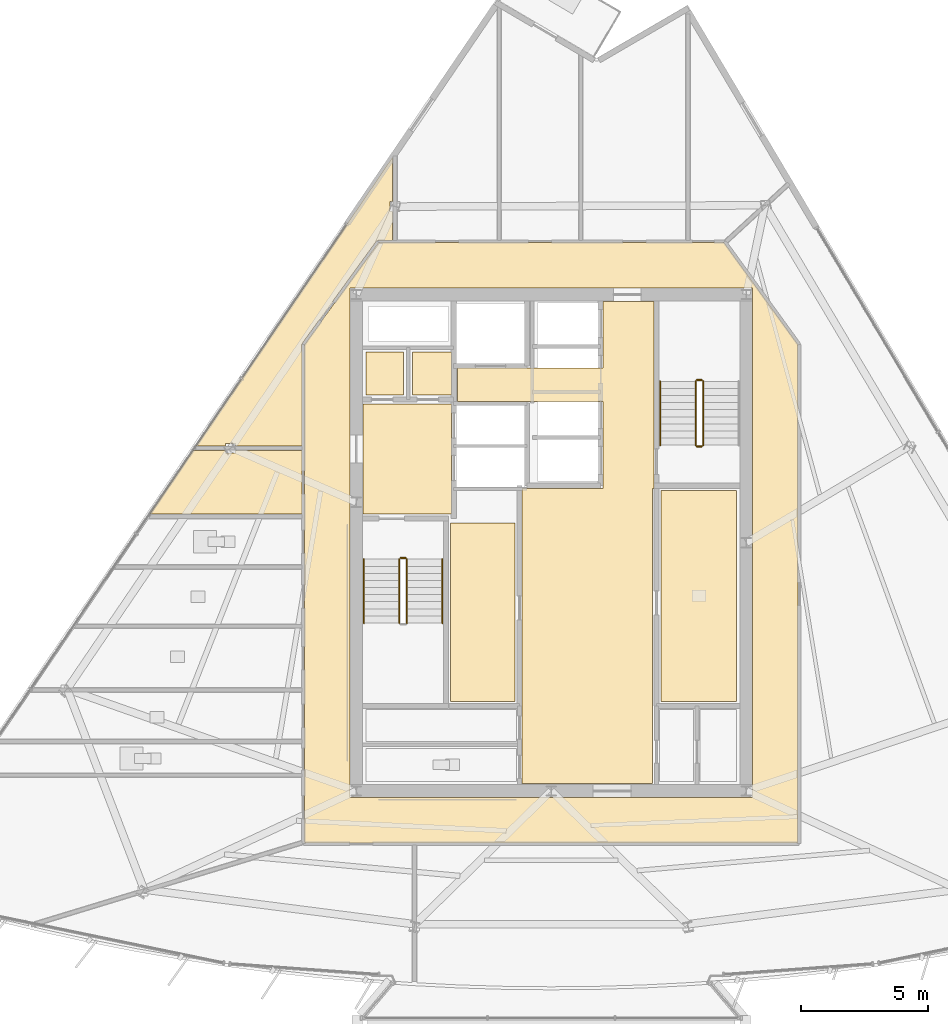
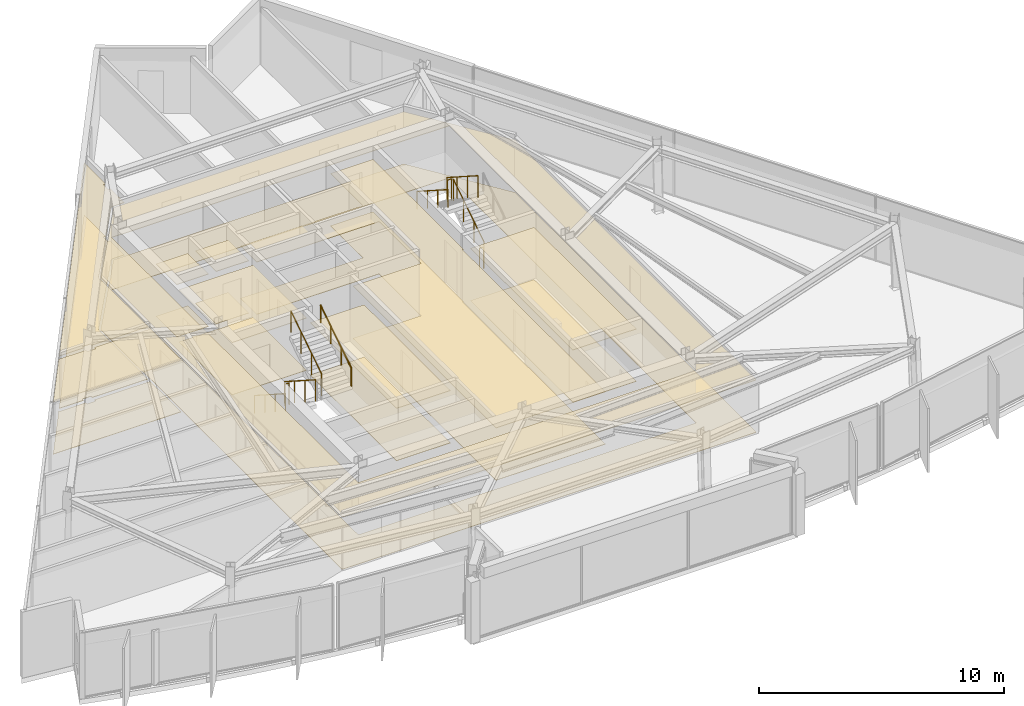
# One storey, part 12 of 14: 18 coverings, 10 railings.
"""IFC4 building model written with IfcOpenShell, lengths in metres."""

from ifc_helpers import new_model, si_unit, direction, frame, origin, origin_2d, place, context, subcontext, project, spatial, polyline, circle, outline, extrude, material, layer, layer_set, type_object, element, save


model = new_model("IFC4")

# Units and contexts
model_context = context("Model", 3, precision=1e-05, world=origin(), true_north=direction((0.0, 1.0)))
body_context = subcontext(model_context, "Body", "Model", "MODEL_VIEW")
ifc_project = project(units=[si_unit("LENGTHUNIT", "METRE"), si_unit("AREAUNIT", "SQUARE_METRE"), si_unit("VOLUMEUNIT", "CUBIC_METRE"), si_unit("PLANEANGLEUNIT", "RADIAN"), si_unit("MASSUNIT", "GRAM", prefix="KILO")], contexts=[model_context])

# Site, building, storey
site_placement = place(None, origin())
site = spatial("IfcSite", under=ifc_project, at=site_placement, CompositionType="ELEMENT")
building_placement = place(site_placement, origin())
building = spatial("IfcBuilding", under=site, at=building_placement, Name="Savorim Split Tower", CompositionType="ELEMENT")
storey_placement = place(building_placement, frame((0.0, 0.0, 237.89990234375)))
storey = spatial("IfcBuildingStorey", under=building, at=storey_placement, Name="L63", CompositionType="ELEMENT", Elevation=237.89990234375)

# Coverings
ifc_material_1 = material(Name="Mineral Fibre Acoustic Ceiling")
ifc_layer_1 = layer(ifc_material_1, 0.02490234375)
ifc_layer_set_1 = layer_set([ifc_layer_1], Name="COV-CEIL-25")
covering_type_1 = type_object("IfcCoveringType", Name="COV-CEIL-25", PredefinedType="CEILING", material=ifc_layer_set_1)
covering_1_placement = place(storey_placement, frame((0.0, 0.0, 2.60009765625)))
element("IfcCovering", 1, at=covering_1_placement, inside=storey, type_object=covering_type_1, Name="L63 Firefighting Lift Lobby Acoustic Ceiling", PredefinedType="CEILING", context=body_context, shape_type="SweptSolid", body=[
    extrude(outline(polyline([(-7.429931640625, 5.8701171875), (-7.429931640625, 1.530029296875), (-3.929931640625, 1.530029296875), (-3.929931640625, 5.8701171875), (-7.429931640625, 5.8701171875)])), origin(), (0.0, 0.0, 1.0), 0.02490234375),
])
covering_2_placement = place(storey_placement, frame((0.0, 0.0, 2.60009765625)))
element("IfcCovering", 2, at=covering_2_placement, inside=storey, type_object=covering_type_1, Name="L63 Electrical Riser Acoustic Ceiling", PredefinedType="CEILING", context=body_context, shape_type="SweptSolid", body=[
    extrude(outline(polyline([(-7.320068359375, 7.919921875), (-7.320068359375, 6.22998046875), (-5.830078125, 6.22998046875), (-5.830078125, 7.919921875), (-7.320068359375, 7.919921875)])), origin(), (0.0, 0.0, 1.0), 0.02490234375),
])
covering_3_placement = place(storey_placement, frame((0.0, 0.0, 2.60009765625)))
element("IfcCovering", 3, at=covering_3_placement, inside=storey, type_object=covering_type_1, Name="L63 Telecom Riser Acoustic Ceiling", PredefinedType="CEILING", context=body_context, shape_type="SweptSolid", body=[
    extrude(outline(polyline([(-5.469970703125, 7.919921875), (-5.469970703125, 6.22998046875), (-3.929931640625, 6.22998046875), (-3.929931640625, 7.919921875), (-5.469970703125, 7.919921875)])), origin(), (0.0, 0.0, 1.0), 0.02490234375),
])
covering_4_placement = place(storey_placement, frame((0.0, 0.0, 2.60009765625)))
element("IfcCovering", 4, at=covering_4_placement, inside=storey, type_object=covering_type_1, Name="L63 Lift Lobby Acoustic Ceiling", PredefinedType="CEILING", context=body_context, shape_type="SweptSolid", body=[
    extrude(outline(polyline([(2.050048828125, 2.550048828125), (-1.14990234375, 2.550048828125), (-1.14990234375, -9.10009765625), (4.0, -9.10009765625), (4.0, 2.550048828125), (4.050048828125, 2.550048828125), (4.050048828125, 5.97998046875), (4.050048828125, 7.300048828125), (4.050048828125, 9.929931640625), (2.050048828125, 9.929931640625), (2.050048828125, 7.300048828125), (-3.699951171875, 7.300048828125), (-3.699951171875, 5.97998046875), (2.050048828125, 5.97998046875), (2.050048828125, 2.550048828125)])), origin(), (0.0, 0.0, 1.0), 0.02490234375),
])
covering_5_placement = place(storey_placement, frame((0.0, 0.0, 2.60009765625)))
element("IfcCovering", 5, at=covering_5_placement, inside=storey, type_object=covering_type_1, Name="L63 Community Laundry Room Acoustic Ceiling", PredefinedType="CEILING", context=body_context, shape_type="SweptSolid", body=[
    extrude(outline(polyline([(4.330078125, 2.469970703125), (4.330078125, -5.8701171875), (7.320068359375, -5.8701171875), (7.320068359375, 2.469970703125), (4.330078125, 2.469970703125)])), origin(), (0.0, 0.0, 1.0), 0.02490234375),
])
covering_6_placement = place(storey_placement, frame((0.0, 0.0, 2.60009765625)))
element("IfcCovering", 6, at=covering_6_placement, inside=storey, type_object=covering_type_1, Name="L63 Quiet Study Room Acoustic Ceiling", PredefinedType="CEILING", context=body_context, shape_type="SweptSolid", body=[
    extrude(outline(polyline([(-3.969970703125, 1.169921875), (-3.969970703125, -5.8701171875), (-1.429931640625, -5.8701171875), (-1.429931640625, 1.169921875), (-3.969970703125, 1.169921875)])), origin(), (0.0, 0.0, 1.0), 0.02490234375),
])
covering_7_placement = place(storey_placement, frame((0.0, 0.0, 2.60009765625)))
element("IfcCovering", 7, at=covering_7_placement, inside=storey, type_object=covering_type_1, Name="L63 Corridor Acoustic Ceiling", PredefinedType="CEILING", context=body_context, shape_type="SweptSolid", body=[
    extrude(outline(polyline([(6.809326171875, 12.2490234375), (6.8046875, 12.249755859375), (6.800048828125, 12.25), (-6.800048828125, 12.25), (-6.8046875, 12.249755859375), (-6.809326171875, 12.2490234375), (-6.81396484375, 12.248046875), (-6.818359375, 12.24658203125), (-6.82275390625, 12.244384765625), (-6.826904296875, 12.2421875), (-6.830810546875, 12.239501953125), (-6.834228515625, 12.236328125), (-6.83740234375, 12.23291015625), (-6.840576171875, 12.229248046875), (-9.740478515625, 8.229248046875), (-9.743408203125, 8.22509765625), (-9.74560546875, 8.22021484375), (-9.74755859375, 8.21533203125), (-9.748779296875, 8.21044921875), (-9.749755859375, 8.205078125), (-9.75, 8.199951171875), (-9.75, -11.39990234375), (-9.749755859375, -11.40478515625), (-9.7490234375, -11.409912109375), (-9.747802734375, -11.41455078125), (-9.74609375, -11.419189453125), (-9.744140625, -11.423583984375), (-9.74169921875, -11.427734375), (-9.73876953125, -11.431640625), (-9.7353515625, -11.435302734375), (-9.731689453125, -11.438720703125), (-9.727783203125, -11.441650390625), (-9.7236328125, -11.444091796875), (-9.718994140625, -11.4462890625), (-9.714599609375, -11.44775390625), (-9.709716796875, -11.448974609375), (-9.704833984375, -11.44970703125), (-9.699951171875, -11.449951171875), (9.699951171875, -11.449951171875), (9.704833984375, -11.44970703125), (9.709716796875, -11.448974609375), (9.714599609375, -11.44775390625), (9.718994140625, -11.4462890625), (9.7236328125, -11.444091796875), (9.727783203125, -11.441650390625), (9.731689453125, -11.438720703125), (9.7353515625, -11.435302734375), (9.73876953125, -11.431640625), (9.74169921875, -11.427734375), (9.744140625, -11.423583984375), (9.74609375, -11.419189453125), (9.747802734375, -11.41455078125), (9.7490234375, -11.409912109375), (9.749755859375, -11.40478515625), (9.75, -11.39990234375), (9.75, 8.199951171875), (9.749755859375, 8.205078125), (9.748779296875, 8.21044921875), (9.74755859375, 8.21533203125), (9.74560546875, 8.22021484375), (9.743408203125, 8.22509765625), (9.740478515625, 8.229248046875), (6.840576171875, 12.229248046875), (6.83740234375, 12.23291015625), (6.834228515625, 12.236328125), (6.830810546875, 12.239501953125), (6.826904296875, 12.2421875), (6.82275390625, 12.244384765625), (6.818359375, 12.24658203125), (6.81396484375, 12.248046875), (6.809326171875, 12.2490234375)]), holes=[polyline([(-7.949951171875, 10.449951171875), (-7.949951171875, -9.64990234375), (7.949951171875, -9.64990234375), (7.949951171875, 10.449951171875), (-7.949951171875, 10.449951171875)])]), origin(), (0.0, 0.0, 1.0), 0.02490234375),
])
covering_8_placement = place(storey_placement, frame((0.0, 0.0, 2.60009765625)))
element("IfcCovering", 8, at=covering_8_placement, inside=storey, type_object=covering_type_1, Name="L63 Quiet Study Room Acoustic Ceiling", PredefinedType="CEILING", context=body_context, shape_type="SweptSolid", body=[
    extrude(outline(polyline([(-6.813232421875, 12.33935546875), (-6.800048828125, 12.340087890625), (-6.26513671875, 12.340087890625), (-6.26513671875, 13.479248046875), (-6.3671875, 13.479248046875), (-6.3671875, 13.87109375), (-6.26513671875, 13.87109375), (-6.26513671875, 15.622802734375), (-14.02001953125, 4.223388671875), (-12.86181640625, 4.223388671875), (-12.86181640625, 4.324462890625), (-12.4677734375, 4.324462890625), (-12.4677734375, 4.223388671875), (-9.840087890625, 4.223388671875), (-9.840087890625, 8.199951171875), (-9.839111328125, 8.214599609375), (-9.8369140625, 8.22900390625), (-9.833251953125, 8.2431640625), (-9.827880859375, 8.2568359375), (-9.8212890625, 8.27001953125), (-9.813232421875, 8.2822265625), (-6.913330078125, 12.2822265625), (-6.905029296875, 12.29248046875), (-6.89599609375, 12.302001953125), (-6.885986328125, 12.310546875), (-6.875, 12.318115234375), (-6.863525390625, 12.32470703125), (-6.8515625, 12.330078125), (-6.839111328125, 12.33447265625), (-6.826416015625, 12.33740234375), (-6.813232421875, 12.33935546875)])), origin(), (0.0, 0.0, 1.0), 0.02490234375),
])
covering_9_placement = place(storey_placement, frame((0.0, 0.0, 2.60009765625)))
element("IfcCovering", 9, at=covering_9_placement, inside=storey, type_object=covering_type_1, Name="L63 Co-Living Bedroom Acoustic Ceiling", PredefinedType="CEILING", context=body_context, shape_type="SweptSolid", body=[
    extrude(outline(polyline([(-12.86181640625, 4.033447265625), (-14.02392578125, 4.033447265625), (-14.118896484375, 4.033447265625), (-14.118896484375, 4.07763671875), (-15.85400390625, 1.52734375), (-9.840087890625, 1.52734375), (-9.840087890625, 4.033447265625), (-12.4677734375, 4.033447265625), (-12.4677734375, 3.932373046875), (-12.86181640625, 3.932373046875), (-12.86181640625, 4.033447265625)])), origin(), (0.0, 0.0, 1.0), 0.02490234375),
])
ifc_material_2 = material(Name="Porcelain Stoneware Flooring", Category="masonry")
ifc_layer_2 = layer(ifc_material_2, 0.02001953125)
ifc_layer_set_2 = layer_set([ifc_layer_2], Name="COV-FLOR-20")
covering_type_2 = type_object("IfcCoveringType", Name="COV-FLOR-20", PredefinedType="FLOORING", material=ifc_layer_set_2)
covering_10_placement = place(storey_placement, origin())
element("IfcCovering", 10, at=covering_10_placement, inside=storey, type_object=covering_type_2, Name="L63 Firefighting Lift Lobby Porcelain Flooring", PredefinedType="FLOORING", context=body_context, shape_type="SweptSolid", body=[
    extrude(outline(polyline([(-7.429931640625, 5.8701171875), (-7.429931640625, 1.530029296875), (-3.929931640625, 1.530029296875), (-3.929931640625, 5.8701171875), (-7.429931640625, 5.8701171875)])), origin(), (0.0, 0.0, 1.0), 0.02001953125),
])
covering_11_placement = place(storey_placement, origin())
element("IfcCovering", 11, at=covering_11_placement, inside=storey, type_object=covering_type_2, Name="L63 Electrical Riser Porcelain Flooring", PredefinedType="FLOORING", context=body_context, shape_type="SweptSolid", body=[
    extrude(outline(polyline([(-7.320068359375, 7.919921875), (-7.320068359375, 6.22998046875), (-5.830078125, 6.22998046875), (-5.830078125, 7.919921875), (-7.320068359375, 7.919921875)])), origin(), (0.0, 0.0, 1.0), 0.02001953125),
])
covering_12_placement = place(storey_placement, origin())
element("IfcCovering", 12, at=covering_12_placement, inside=storey, type_object=covering_type_2, Name="L63 Telecom Riser Porcelain Flooring", PredefinedType="FLOORING", context=body_context, shape_type="SweptSolid", body=[
    extrude(outline(polyline([(-5.469970703125, 7.919921875), (-5.469970703125, 6.22998046875), (-3.929931640625, 6.22998046875), (-3.929931640625, 7.919921875), (-5.469970703125, 7.919921875)])), origin(), (0.0, 0.0, 1.0), 0.02001953125),
])
covering_13_placement = place(storey_placement, origin())
element("IfcCovering", 13, at=covering_13_placement, inside=storey, type_object=covering_type_2, Name="L63 Lift Lobby Porcelain Flooring", PredefinedType="FLOORING", context=body_context, shape_type="SweptSolid", body=[
    extrude(outline(polyline([(2.050048828125, 2.550048828125), (-1.14990234375, 2.550048828125), (-1.14990234375, -9.10009765625), (4.0, -9.10009765625), (4.0, 2.550048828125), (4.050048828125, 2.550048828125), (4.050048828125, 5.97998046875), (4.050048828125, 7.300048828125), (4.050048828125, 9.929931640625), (2.050048828125, 9.929931640625), (2.050048828125, 7.300048828125), (-3.699951171875, 7.300048828125), (-3.699951171875, 5.97998046875), (2.050048828125, 5.97998046875), (2.050048828125, 2.550048828125)])), origin(), (0.0, 0.0, 1.0), 0.02001953125),
])
covering_14_placement = place(storey_placement, origin())
element("IfcCovering", 14, at=covering_14_placement, inside=storey, type_object=covering_type_2, Name="L63 Community Laundry Room Porcelain Flooring", PredefinedType="FLOORING", context=body_context, shape_type="SweptSolid", body=[
    extrude(outline(polyline([(4.330078125, 2.469970703125), (4.330078125, -5.8701171875), (7.320068359375, -5.8701171875), (7.320068359375, 2.469970703125), (4.330078125, 2.469970703125)])), origin(), (0.0, 0.0, 1.0), 0.02001953125),
])
covering_15_placement = place(storey_placement, origin())
element("IfcCovering", 15, at=covering_15_placement, inside=storey, type_object=covering_type_2, Name="L63 Quiet Study Room Porcelain Flooring", PredefinedType="FLOORING", context=body_context, shape_type="SweptSolid", body=[
    extrude(outline(polyline([(-3.969970703125, 1.169921875), (-3.969970703125, -5.8701171875), (-1.429931640625, -5.8701171875), (-1.429931640625, 1.169921875), (-3.969970703125, 1.169921875)])), origin(), (0.0, 0.0, 1.0), 0.02001953125),
])
covering_16_placement = place(storey_placement, origin())
element("IfcCovering", 16, at=covering_16_placement, inside=storey, type_object=covering_type_2, Name="L63 Corridor Porcelain Flooring", PredefinedType="FLOORING", context=body_context, shape_type="SweptSolid", body=[
    extrude(outline(polyline([(6.809326171875, 12.2490234375), (6.8046875, 12.249755859375), (6.800048828125, 12.25), (-6.800048828125, 12.25), (-6.8046875, 12.249755859375), (-6.809326171875, 12.2490234375), (-6.81396484375, 12.248046875), (-6.818359375, 12.24658203125), (-6.82275390625, 12.244384765625), (-6.826904296875, 12.2421875), (-6.830810546875, 12.239501953125), (-6.834228515625, 12.236328125), (-6.83740234375, 12.23291015625), (-6.840576171875, 12.229248046875), (-9.740478515625, 8.229248046875), (-9.743408203125, 8.22509765625), (-9.74560546875, 8.22021484375), (-9.74755859375, 8.21533203125), (-9.748779296875, 8.21044921875), (-9.749755859375, 8.205078125), (-9.75, 8.199951171875), (-9.75, -11.39990234375), (-9.749755859375, -11.40478515625), (-9.7490234375, -11.409912109375), (-9.747802734375, -11.41455078125), (-9.74609375, -11.419189453125), (-9.744140625, -11.423583984375), (-9.74169921875, -11.427734375), (-9.73876953125, -11.431640625), (-9.7353515625, -11.435302734375), (-9.731689453125, -11.438720703125), (-9.727783203125, -11.441650390625), (-9.7236328125, -11.444091796875), (-9.718994140625, -11.4462890625), (-9.714599609375, -11.44775390625), (-9.709716796875, -11.448974609375), (-9.704833984375, -11.44970703125), (-9.699951171875, -11.449951171875), (9.699951171875, -11.449951171875), (9.704833984375, -11.44970703125), (9.709716796875, -11.448974609375), (9.714599609375, -11.44775390625), (9.718994140625, -11.4462890625), (9.7236328125, -11.444091796875), (9.727783203125, -11.441650390625), (9.731689453125, -11.438720703125), (9.7353515625, -11.435302734375), (9.73876953125, -11.431640625), (9.74169921875, -11.427734375), (9.744140625, -11.423583984375), (9.74609375, -11.419189453125), (9.747802734375, -11.41455078125), (9.7490234375, -11.409912109375), (9.749755859375, -11.40478515625), (9.75, -11.39990234375), (9.75, 8.199951171875), (9.749755859375, 8.205078125), (9.748779296875, 8.21044921875), (9.74755859375, 8.21533203125), (9.74560546875, 8.22021484375), (9.743408203125, 8.22509765625), (9.740478515625, 8.229248046875), (6.840576171875, 12.229248046875), (6.83740234375, 12.23291015625), (6.834228515625, 12.236328125), (6.830810546875, 12.239501953125), (6.826904296875, 12.2421875), (6.82275390625, 12.244384765625), (6.818359375, 12.24658203125), (6.81396484375, 12.248046875), (6.809326171875, 12.2490234375)]), holes=[polyline([(-7.949951171875, 10.449951171875), (-7.949951171875, -9.64990234375), (7.949951171875, -9.64990234375), (7.949951171875, 10.449951171875), (-7.949951171875, 10.449951171875)])]), origin(), (0.0, 0.0, 1.0), 0.02001953125),
])
covering_17_placement = place(storey_placement, origin())
element("IfcCovering", 17, at=covering_17_placement, inside=storey, type_object=covering_type_2, Name="L63 Quiet Study Room Porcelain Flooring", PredefinedType="FLOORING", context=body_context, shape_type="SweptSolid", body=[
    extrude(outline(polyline([(-6.813232421875, 12.33935546875), (-6.800048828125, 12.340087890625), (-6.26513671875, 12.340087890625), (-6.26513671875, 13.479248046875), (-6.3671875, 13.479248046875), (-6.3671875, 13.87109375), (-6.26513671875, 13.87109375), (-6.26513671875, 15.622802734375), (-14.02001953125, 4.223388671875), (-12.86181640625, 4.223388671875), (-12.86181640625, 4.324462890625), (-12.4677734375, 4.324462890625), (-12.4677734375, 4.223388671875), (-9.840087890625, 4.223388671875), (-9.840087890625, 8.199951171875), (-9.839111328125, 8.214599609375), (-9.8369140625, 8.22900390625), (-9.833251953125, 8.2431640625), (-9.827880859375, 8.2568359375), (-9.8212890625, 8.27001953125), (-9.813232421875, 8.2822265625), (-6.913330078125, 12.2822265625), (-6.905029296875, 12.29248046875), (-6.89599609375, 12.302001953125), (-6.885986328125, 12.310546875), (-6.875, 12.318115234375), (-6.863525390625, 12.32470703125), (-6.8515625, 12.330078125), (-6.839111328125, 12.33447265625), (-6.826416015625, 12.33740234375), (-6.813232421875, 12.33935546875)])), origin(), (0.0, 0.0, 1.0), 0.02001953125),
])
covering_18_placement = place(storey_placement, origin())
element("IfcCovering", 18, at=covering_18_placement, inside=storey, type_object=covering_type_2, Name="L63 Co-Living Bedroom Porcelain Flooring", PredefinedType="FLOORING", context=body_context, shape_type="SweptSolid", body=[
    extrude(outline(polyline([(-12.86181640625, 4.033447265625), (-14.02392578125, 4.033447265625), (-14.118896484375, 4.033447265625), (-14.118896484375, 4.07763671875), (-15.85400390625, 1.52734375), (-9.840087890625, 1.52734375), (-9.840087890625, 4.033447265625), (-12.4677734375, 4.033447265625), (-12.4677734375, 3.932373046875), (-12.86181640625, 3.932373046875), (-12.86181640625, 4.033447265625)])), origin(), (0.0, 0.0, 1.0), 0.02001953125),
])

# Railings
ifc_material_3 = material(Name="Galvanised Painted Steel Balustrade", Category="steel")
railing_type_1 = type_object("IfcRailingType", Name="RLG-HR-900", PredefinedType="HANDRAIL", material=ifc_material_3)
railing_1_placement = place(storey_placement, frame((-7.39990234375, -0.25, 0.18017578125)))
element("IfcRailing", 19, at=railing_1_placement, inside=storey, type_object=railing_type_1, Name="L63 ST-1 stair handrail 1", PredefinedType="HANDRAIL", context=body_context, shape_type="SweptSolid", body=[
    extrude(circle(Radius=0.02392578125, at=origin_2d()), frame((0.0, 0.0, 0.8759765625), z_axis=(0.0, -0.841199657755, 0.540724639528), x_axis=(1.0, 0.0, 0.0)), (0.0, 0.0, 1.0), 2.995849609375),
    extrude(circle(Radius=0.02099609375, at=origin_2d()), origin(), (0.0, 0.0, 1.0), 0.851806640625),
    extrude(circle(Radius=0.02099609375, at=origin_2d()), frame((0.0, -0.840087890625, 0.5400390625)), (0.0, 0.0, 1.0), 0.851806640625),
    extrude(circle(Radius=0.02099609375, at=origin_2d()), frame((0.0, -1.679931640625, 1.079833984375)), (0.0, 0.0, 1.0), 0.851806640625),
    extrude(circle(Radius=0.02099609375, at=origin_2d()), frame((0.0, -2.52001953125, 1.619873046875)), (0.0, 0.0, 1.0), 0.851806640625),
])
railing_2_placement = place(storey_placement, frame((-4.300048828125, -2.77001953125, 1.97998046875)))
element("IfcRailing", 20, at=railing_2_placement, inside=storey, type_object=railing_type_1, Name="L63 ST-1 stair handrail 2", PredefinedType="HANDRAIL", context=body_context, shape_type="SweptSolid", body=[
    extrude(circle(Radius=0.02392578125, at=origin_2d()), frame((0.0, 0.0, 0.8759765625), z_axis=(0.0, 0.841162588446, 0.540782303519), x_axis=(-1.0, 0.0, 0.0)), (0.0, 0.0, 1.0), 2.995849609375),
    extrude(circle(Radius=0.02099609375, at=origin_2d()), origin(), (0.0, 0.0, 1.0), 0.851806640625),
    extrude(circle(Radius=0.02099609375, at=origin_2d()), frame((0.0, 0.840087890625, 0.5400390625)), (0.0, 0.0, 1.0), 0.851806640625),
    extrude(circle(Radius=0.02099609375, at=origin_2d()), frame((0.0, 1.679931640625, 1.080078125)), (0.0, 0.0, 1.0), 0.851806640625),
    extrude(circle(Radius=0.02099609375, at=origin_2d()), frame((0.0, 2.52001953125, 1.6201171875)), (0.0, 0.0, 1.0), 0.851806640625),
])
railing_3_placement = place(storey_placement, frame((4.300048828125, 6.77001953125, 1.97998046875)))
element("IfcRailing", 21, at=railing_3_placement, inside=storey, type_object=railing_type_1, Name="L63 ST-2 stair handrail 2", PredefinedType="HANDRAIL", context=body_context, shape_type="SweptSolid", body=[
    extrude(circle(Radius=0.02392578125, at=origin_2d()), frame((0.0, 0.0, 0.8759765625), z_axis=(0.0, -0.841162588446, 0.540782303519), x_axis=(1.0, 0.0, 0.0)), (0.0, 0.0, 1.0), 2.995849609375),
    extrude(circle(Radius=0.02099609375, at=origin_2d()), origin(), (0.0, 0.0, 1.0), 0.851806640625),
    extrude(circle(Radius=0.02099609375, at=origin_2d()), frame((0.0, -0.840087890625, 0.5400390625)), (0.0, 0.0, 1.0), 0.851806640625),
    extrude(circle(Radius=0.02099609375, at=origin_2d()), frame((0.0, -1.679931640625, 1.080078125)), (0.0, 0.0, 1.0), 0.851806640625),
    extrude(circle(Radius=0.02099609375, at=origin_2d()), frame((0.0, -2.52001953125, 1.6201171875)), (0.0, 0.0, 1.0), 0.851806640625),
])
railing_type_2 = type_object("IfcRailingType", Name="RLG-STG-1100", PredefinedType="BALUSTRADE", material=ifc_material_3)
railing_4_placement = place(storey_placement, frame((-6.0, -0.25, 0.18017578125)))
element("IfcRailing", 22, at=railing_4_placement, inside=storey, type_object=railing_type_2, Name="L63 ST-1 stair guard 1", PredefinedType="BALUSTRADE", context=body_context, shape_type="SweptSolid", body=[
    extrude(circle(Radius=0.02392578125, at=origin_2d()), frame((0.0, 0.0, 1.076171875), z_axis=(0.0, -0.841199657755, 0.540724639528), x_axis=(1.0, 0.0, 0.0)), (0.0, 0.0, 1.0), 2.995849609375),
    extrude(circle(Radius=0.02099609375, at=origin_2d()), origin(), (0.0, 0.0, 1.0), 1.052001953125),
    extrude(circle(Radius=0.02099609375, at=origin_2d()), frame((0.0, -0.840087890625, 0.5400390625)), (0.0, 0.0, 1.0), 1.052001953125),
    extrude(circle(Radius=0.02099609375, at=origin_2d()), frame((0.0, -1.679931640625, 1.079833984375)), (0.0, 0.0, 1.0), 1.052001953125),
    extrude(circle(Radius=0.02099609375, at=origin_2d()), frame((0.0, -2.52001953125, 1.619873046875)), (0.0, 0.0, 1.0), 1.052001953125),
])
railing_5_placement = place(storey_placement, frame((-5.699951171875, -2.77001953125, 1.97998046875)))
element("IfcRailing", 23, at=railing_5_placement, inside=storey, type_object=railing_type_2, Name="L63 ST-1 stair guard 3", PredefinedType="BALUSTRADE", context=body_context, shape_type="SweptSolid", body=[
    extrude(circle(Radius=0.02392578125, at=origin_2d()), frame((0.0, 0.0, 1.076171875), z_axis=(0.0, 0.841162588446, 0.540782303519), x_axis=(-1.0, 0.0, 0.0)), (0.0, 0.0, 1.0), 2.995849609375),
    extrude(circle(Radius=0.02099609375, at=origin_2d()), origin(), (0.0, 0.0, 1.0), 1.052001953125),
    extrude(circle(Radius=0.02099609375, at=origin_2d()), frame((0.0, 0.840087890625, 0.5400390625)), (0.0, 0.0, 1.0), 1.052001953125),
    extrude(circle(Radius=0.02099609375, at=origin_2d()), frame((0.0, 1.679931640625, 1.080078125)), (0.0, 0.0, 1.0), 1.052001953125),
    extrude(circle(Radius=0.02099609375, at=origin_2d()), frame((0.0, 2.52001953125, 1.6201171875)), (0.0, 0.0, 1.0), 1.052001953125),
])
railing_6_placement = place(storey_placement, frame((-5.949951171875, -0.199951171875, 0.0)))
element("IfcRailing", 24, at=railing_6_placement, inside=storey, type_object=railing_type_2, Name="L63 ST-1 stair guard 4", PredefinedType="BALUSTRADE", context=body_context, shape_type="SweptSolid", body=[
    extrude(circle(Radius=0.02392578125, at=origin_2d()), frame((0.0, 0.0, 1.076171875), z_axis=(1.0, 0.0, 0.0), x_axis=(0.0, 1.0, 0.0)), (0.0, 0.0, 1.0), 0.199951171875),
    extrude(circle(Radius=0.02099609375, at=origin_2d()), origin(), (0.0, 0.0, 1.0), 1.052001953125),
    extrude(circle(Radius=0.02099609375, at=origin_2d()), frame((0.199951171875, 0.0, 0.0)), (0.0, 0.0, 1.0), 1.052001953125),
])
railing_7_placement = place(storey_placement, frame((6.0, 4.25, 0.18017578125)))
element("IfcRailing", 25, at=railing_7_placement, inside=storey, type_object=railing_type_2, Name="L63 ST-2 stair guard 1", PredefinedType="BALUSTRADE", context=body_context, shape_type="SweptSolid", body=[
    extrude(circle(Radius=0.02392578125, at=origin_2d()), frame((0.0, 0.0, 1.076171875), z_axis=(0.0, 0.841199657755, 0.540724639528), x_axis=(-1.0, 0.0, 0.0)), (0.0, 0.0, 1.0), 2.995849609375),
    extrude(circle(Radius=0.02099609375, at=origin_2d()), origin(), (0.0, 0.0, 1.0), 1.052001953125),
    extrude(circle(Radius=0.02099609375, at=origin_2d()), frame((0.0, 0.840087890625, 0.5400390625)), (0.0, 0.0, 1.0), 1.052001953125),
    extrude(circle(Radius=0.02099609375, at=origin_2d()), frame((0.0, 1.679931640625, 1.079833984375)), (0.0, 0.0, 1.0), 1.052001953125),
    extrude(circle(Radius=0.02099609375, at=origin_2d()), frame((0.0, 2.52001953125, 1.619873046875)), (0.0, 0.0, 1.0), 1.052001953125),
])
railing_8_placement = place(storey_placement, frame((5.949951171875, 6.820068359375, 1.800048828125)))
element("IfcRailing", 26, at=railing_8_placement, inside=storey, type_object=railing_type_2, Name="L63 ST-2 stair guard 2", PredefinedType="BALUSTRADE", context=body_context, shape_type="SweptSolid", body=[
    extrude(circle(Radius=0.02392578125, at=origin_2d()), frame((0.0, 0.0, 1.076171875), z_axis=(-1.0, 0.0, 0.0), x_axis=(0.0, -1.0, 0.0)), (0.0, 0.0, 1.0), 0.199951171875),
    extrude(circle(Radius=0.02099609375, at=origin_2d()), origin(), (0.0, 0.0, 1.0), 1.052001953125),
    extrude(circle(Radius=0.02099609375, at=origin_2d()), frame((-0.199951171875, 0.0, 0.0)), (0.0, 0.0, 1.0), 1.052001953125),
])
railing_9_placement = place(storey_placement, frame((5.699951171875, 6.77001953125, 1.97998046875)))
element("IfcRailing", 27, at=railing_9_placement, inside=storey, type_object=railing_type_2, Name="L63 ST-2 stair guard 3", PredefinedType="BALUSTRADE", context=body_context, shape_type="SweptSolid", body=[
    extrude(circle(Radius=0.02392578125, at=origin_2d()), frame((0.0, 0.0, 1.076171875), z_axis=(0.0, -0.841162588446, 0.540782303519), x_axis=(1.0, 0.0, 0.0)), (0.0, 0.0, 1.0), 2.995849609375),
    extrude(circle(Radius=0.02099609375, at=origin_2d()), origin(), (0.0, 0.0, 1.0), 1.052001953125),
    extrude(circle(Radius=0.02099609375, at=origin_2d()), frame((0.0, -0.840087890625, 0.5400390625)), (0.0, 0.0, 1.0), 1.052001953125),
    extrude(circle(Radius=0.02099609375, at=origin_2d()), frame((0.0, -1.679931640625, 1.080078125)), (0.0, 0.0, 1.0), 1.052001953125),
    extrude(circle(Radius=0.02099609375, at=origin_2d()), frame((0.0, -2.52001953125, 1.6201171875)), (0.0, 0.0, 1.0), 1.052001953125),
])
railing_10_placement = place(storey_placement, frame((5.949951171875, 4.199951171875, 0.0)))
element("IfcRailing", 28, at=railing_10_placement, inside=storey, type_object=railing_type_2, Name="L63 ST-2 stair guard 4", PredefinedType="BALUSTRADE", context=body_context, shape_type="SweptSolid", body=[
    extrude(circle(Radius=0.02392578125, at=origin_2d()), frame((0.0, 0.0, 1.076171875), z_axis=(-1.0, 0.0, 0.0), x_axis=(0.0, -1.0, 0.0)), (0.0, 0.0, 1.0), 0.199951171875),
    extrude(circle(Radius=0.02099609375, at=origin_2d()), origin(), (0.0, 0.0, 1.0), 1.052001953125),
    extrude(circle(Radius=0.02099609375, at=origin_2d()), frame((-0.199951171875, 0.0, 0.0)), (0.0, 0.0, 1.0), 1.052001953125),
])

save(model, "model.ifc")
